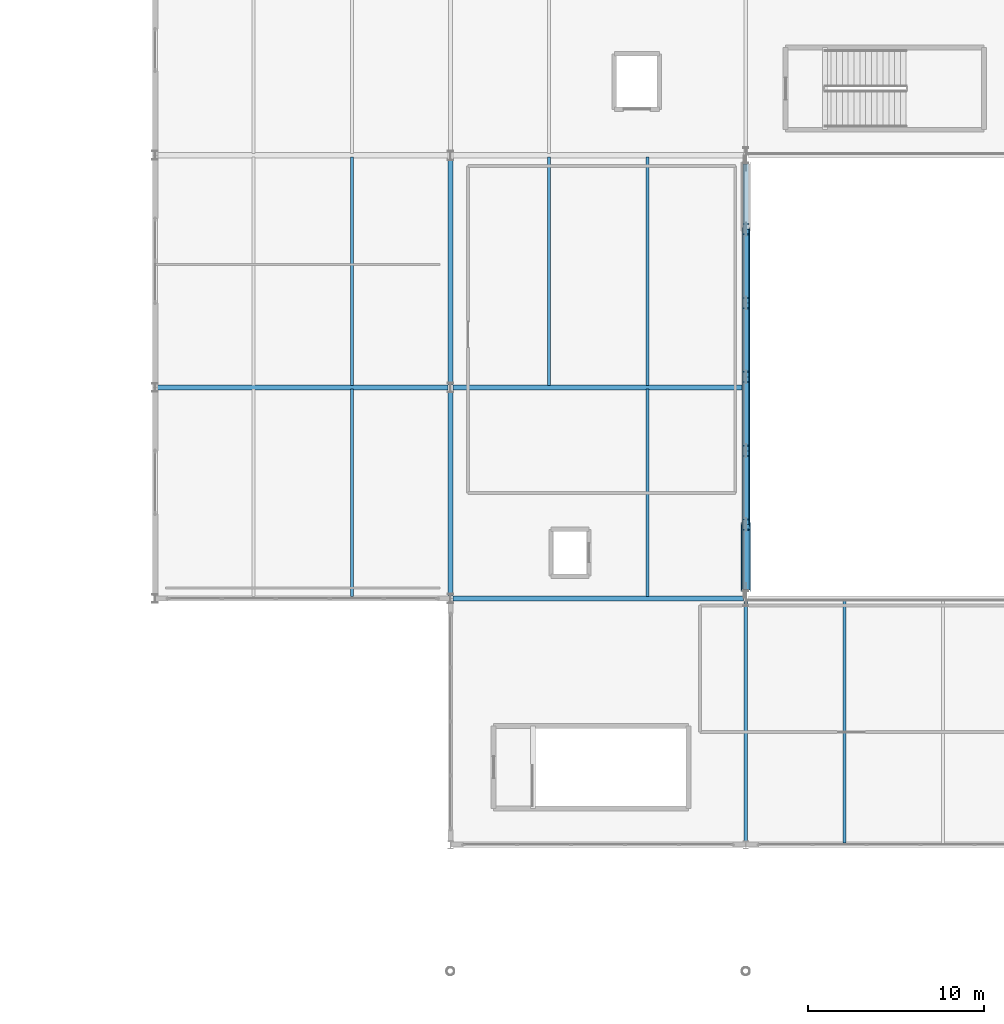
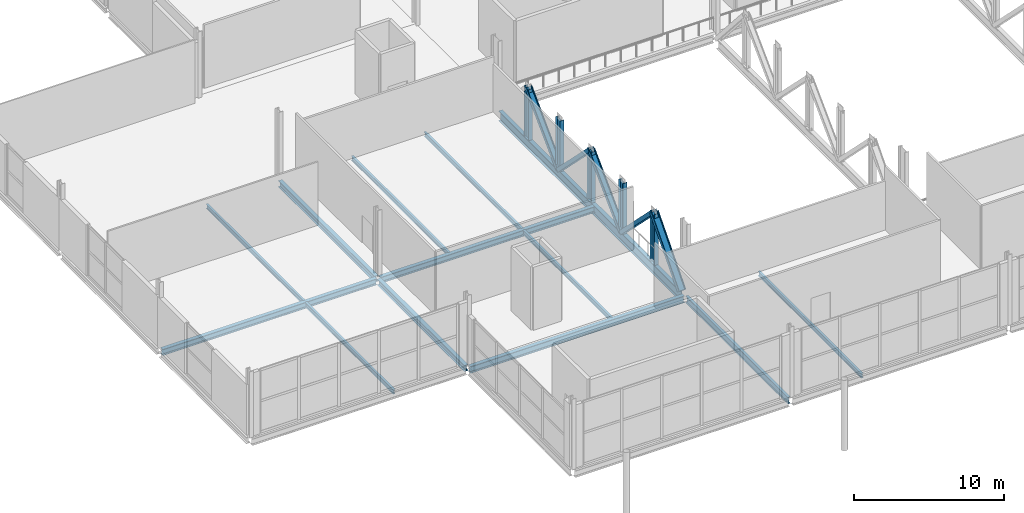
# One storey, part 20 of 84: 13 beams, 10 members.
"""IFC4 building model written with IfcOpenShell, lengths in metres."""

from ifc_helpers import new_model, si_unit, direction, frame, origin, origin_2d, place, context, subcontext, project, spatial, i_section, extrude, material, material_profile, profile_set, type_object, element, save


model = new_model("IFC4")

# Units and contexts
model_context = context("Model", 3, precision=1e-05, world=origin(), true_north=direction((0.0, 1.0)))
body_context = subcontext(model_context, "Body", "Model", "MODEL_VIEW")
ifc_project = project(units=[si_unit("LENGTHUNIT", "METRE"), si_unit("AREAUNIT", "SQUARE_METRE"), si_unit("VOLUMEUNIT", "CUBIC_METRE"), si_unit("PLANEANGLEUNIT", "RADIAN"), si_unit("MASSUNIT", "GRAM", prefix="KILO")], contexts=[model_context])

# Site, building, storey
site_placement = place(None, origin())
site = spatial("IfcSite", under=ifc_project, at=site_placement, CompositionType="ELEMENT")
building_placement = place(site_placement, origin())
building = spatial("IfcBuilding", under=site, at=building_placement, Name="Kimbaza Rail Terminus", CompositionType="ELEMENT")
storey_placement = place(building_placement, frame((0.0, 0.0, 5.39990234375)))
storey = spatial("IfcBuildingStorey", under=building, at=storey_placement, Name="L01", CompositionType="ELEMENT", Elevation=5.39990234375)

# Beams
ifc_material_1 = material(Name="Steel S355", Category="steel")
ifc_material_profile_1 = material_profile(ifc_material_1, i_section(OverallWidth=0.300048828125, OverallDepth=0.5, WebThickness=0.014404296875, FlangeThickness=0.028076171875, FilletRadius=0.027099609375, at=origin_2d()), Name="HEB 500")
ifc_profile_set_1 = profile_set([ifc_material_profile_1], Name="Steel S355")
beam_type_1 = type_object("IfcBeamType", Name="STR-BM-HEB500", PredefinedType="BEAM", material=ifc_profile_set_1)
for number, where, z_axis, x_axis, name in (
    (1, (38.5458984375, 67.0, -0.469970703125), (1.0, 0.0, 0.0), (0.0, 1.0, 0.0), "Beam BM-V2WX-L01-38"),
    (2, (55.345947265625, 67.0, -0.469970703125), (1.0, 0.0, 0.0), (0.0, 1.0, 0.0), "Beam BM-V2WX-L01-55"),
):
    element("IfcBeam", number, at=place(storey_placement, frame(where, z_axis=z_axis, x_axis=x_axis)), inside=storey, type_object=beam_type_1, Name=name, PredefinedType="BEAM", context=body_context, shape_type="SweptSolid", body=[
        extrude(i_section(OverallWidth=0.300048828125, OverallDepth=0.5, WebThickness=0.014404296875, FlangeThickness=0.028076171875, FilletRadius=0.027099609375, at=origin_2d()), origin(), (0.0, 0.0, 1.0), 16.508056640625),
    ])
beam_1_placement = place(storey_placement, frame((55.199951171875, 55.175048828125, -0.469970703125), z_axis=(0.0, 1.0, 0.0), x_axis=(-1.0, 0.0, 0.0)))
element("IfcBeam", 3, at=beam_1_placement, inside=storey, type_object=beam_type_1, Name="Beam BM-V2WY-L01-1-55", PredefinedType="BEAM", context=body_context, shape_type="SweptSolid", body=[
    extrude(i_section(OverallWidth=0.300048828125, OverallDepth=0.5, WebThickness=0.014404296875, FlangeThickness=0.028076171875, FilletRadius=0.027099609375, at=origin_2d()), origin(), (0.0, 0.0, 1.0), 11.64990234375),
])
beam_2_placement = place(storey_placement, frame((55.199951171875, 67.175048828125, -0.469970703125), z_axis=(0.0, 1.0, 0.0), x_axis=(-1.0, 0.0, 0.0)))
element("IfcBeam", 4, at=beam_2_placement, inside=storey, type_object=beam_type_1, Name="Beam BM-V2WY-L01-1-67", PredefinedType="BEAM", context=body_context, shape_type="SweptSolid", body=[
    extrude(i_section(OverallWidth=0.300048828125, OverallDepth=0.5, WebThickness=0.014404296875, FlangeThickness=0.028076171875, FilletRadius=0.027099609375, at=origin_2d()), origin(), (0.0, 0.0, 1.0), 12.849853515625),
])
ifc_material_2 = material(Name="Steel S355", Category="steel")
ifc_material_profile_2 = material_profile(ifc_material_2, i_section(OverallWidth=0.300048828125, OverallDepth=0.550048828125, WebThickness=0.014892578125, FlangeThickness=0.029052734375, FilletRadius=0.027099609375, at=origin_2d()), Name="HEB 550")
ifc_profile_set_2 = profile_set([ifc_material_profile_2], Name="Steel S355")
beam_type_2 = type_object("IfcBeamType", Name="STR-BM-HEB550", PredefinedType="BEAM", material=ifc_profile_set_2)
beam_3_placement = place(storey_placement, frame((55.345947265625, 55.0, -0.494873046875), z_axis=(1.0, 0.0, 0.0), x_axis=(0.0, 1.0, 0.0)))
element("IfcBeam", 5, at=beam_3_placement, inside=storey, type_object=beam_type_2, Name="Beam BM-V2X-L01-55-1", PredefinedType="BEAM", context=body_context, shape_type="SweptSolid", body=[
    extrude(i_section(OverallWidth=0.300048828125, OverallDepth=0.550048828125, WebThickness=0.014892578125, FlangeThickness=0.029052734375, FilletRadius=0.027099609375, at=origin_2d()), origin(), (0.0, 0.0, 1.0), 16.508056640625),
])
ifc_material_3 = material(Name="Steel S355", Category="steel")
ifc_material_profile_3 = material_profile(ifc_material_3, i_section(OverallWidth=0.302978515625, OverallDepth=0.81396484375, WebThickness=0.02099609375, FlangeThickness=0.0400390625, FilletRadius=0.030029296875, at=origin_2d()), Name="HEM 800")
ifc_profile_set_3 = profile_set([ifc_material_profile_3], Name="Steel S355")
beam_type_3 = type_object("IfcBeamType", Name="STR-BM-HEM800", PredefinedType="USERDEFINED", material=ifc_profile_set_3)
beam_4_placement = place(storey_placement, frame((72.0, 55.498046875, -0.626953125), z_axis=(0.0, 1.0, 0.0), x_axis=(-1.0, 0.0, 0.0)))
element("IfcBeam", 6, at=beam_4_placement, inside=storey, type_object=beam_type_3, Name="Warren Transfer Truss WT-01 Bottom Chord", ObjectType="GIRDER", PredefinedType="USERDEFINED", context=body_context, shape_type="SweptSolid", body=[
    extrude(i_section(OverallWidth=0.302978515625, OverallDepth=0.81396484375, WebThickness=0.02099609375, FlangeThickness=0.0400390625, FilletRadius=0.030029296875, at=origin_2d()), origin(), (0.0, 0.0, 1.0), 24.203857421875),
])
ifc_material_4 = material(Name="Steel S355", Category="steel")
ifc_material_profile_4 = material_profile(ifc_material_4, i_section(OverallWidth=0.169921875, OverallDepth=0.360107421875, WebThickness=0.008056640625, FlangeThickness=0.0126953125, FilletRadius=0.01806640625, at=origin_2d()), Name="IPE 360")
ifc_profile_set_4 = profile_set([ifc_material_profile_4], Name="Steel S355")
beam_type_4 = type_object("IfcBeamType", Name="STR-BM-IPE360", PredefinedType="JOIST", material=ifc_profile_set_4)
beam_5_placement = place(storey_placement, frame((77.60009765625, 41.10009765625, -0.39990234375), z_axis=(0.0, 1.0, 0.0), x_axis=(-1.0, 0.0, 0.0)))
element("IfcBeam", 7, at=beam_5_placement, inside=storey, type_object=beam_type_4, Name="Beam JST-V2-L01-1-1-41", PredefinedType="JOIST", context=body_context, shape_type="SweptSolid", body=[
    extrude(i_section(OverallWidth=0.169921875, OverallDepth=0.360107421875, WebThickness=0.008056640625, FlangeThickness=0.0126953125, FilletRadius=0.01806640625, at=origin_2d()), origin(), (0.0, 0.0, 1.0), 13.7998046875),
])
beam_6_placement = place(storey_placement, frame((49.60009765625, 55.10009765625, -0.39990234375), z_axis=(0.0, 1.0, 0.0), x_axis=(-1.0, 0.0, 0.0)))
element("IfcBeam", 8, at=beam_6_placement, inside=storey, type_object=beam_type_4, Name="Beam JST-V2W-L01-0-2-55", PredefinedType="JOIST", context=body_context, shape_type="SweptSolid", body=[
    extrude(i_section(OverallWidth=0.169921875, OverallDepth=0.360107421875, WebThickness=0.008056640625, FlangeThickness=0.0126953125, FilletRadius=0.01806640625, at=origin_2d()), origin(), (0.0, 0.0, 1.0), 11.7998046875),
])
for number, where, z_axis, x_axis, name in (
    (9, (49.60009765625, 67.10009765625, -0.39990234375), (0.0, 1.0, 0.0), (-1.0, 0.0, 0.0), "Beam JST-V2W-L01-0-2-67"),
    (10, (60.800048828125, 67.10009765625, -0.39990234375), (0.0, 1.0, 0.0), (-1.0, 0.0, 0.0), "Beam JST-V2W-L01-1-1-67"),
):
    element("IfcBeam", number, at=place(storey_placement, frame(where, z_axis=z_axis, x_axis=x_axis)), inside=storey, type_object=beam_type_4, Name=name, PredefinedType="JOIST", context=body_context, shape_type="SweptSolid", body=[
        extrude(i_section(OverallWidth=0.169921875, OverallDepth=0.360107421875, WebThickness=0.008056640625, FlangeThickness=0.0126953125, FilletRadius=0.01806640625, at=origin_2d()), origin(), (0.0, 0.0, 1.0), 13.0),
    ])
beam_7_placement = place(storey_placement, frame((66.39990234375, 55.10009765625, -0.39990234375), z_axis=(0.0, 1.0, 0.0), x_axis=(-1.0, 0.0, 0.0)))
element("IfcBeam", 11, at=beam_7_placement, inside=storey, type_object=beam_type_4, Name="Beam JST-V2W-L01-1-2-55", PredefinedType="JOIST", context=body_context, shape_type="SweptSolid", body=[
    extrude(i_section(OverallWidth=0.169921875, OverallDepth=0.360107421875, WebThickness=0.008056640625, FlangeThickness=0.0126953125, FilletRadius=0.01806640625, at=origin_2d()), origin(), (0.0, 0.0, 1.0), 11.7998046875),
])
beam_8_placement = place(storey_placement, frame((66.39990234375, 67.10009765625, -0.39990234375), z_axis=(0.0, 1.0, 0.0), x_axis=(-1.0, 0.0, 0.0)))
element("IfcBeam", 12, at=beam_8_placement, inside=storey, type_object=beam_type_4, Name="Beam JST-V2W-L01-1-2-67", PredefinedType="JOIST", context=body_context, shape_type="SweptSolid", body=[
    extrude(i_section(OverallWidth=0.169921875, OverallDepth=0.360107421875, WebThickness=0.008056640625, FlangeThickness=0.0126953125, FilletRadius=0.01806640625, at=origin_2d()), origin(), (0.0, 0.0, 1.0), 13.0),
])
ifc_material_5 = material(Name="Steel S355", Category="steel")
ifc_material_profile_5 = material_profile(ifc_material_5, i_section(OverallWidth=0.2099609375, OverallDepth=0.550048828125, WebThickness=0.010986328125, FlangeThickness=0.01708984375, FilletRadius=0.02392578125, at=origin_2d()), Name="IPE 550")
ifc_profile_set_5 = profile_set([ifc_material_profile_5], Name="Steel S355")
beam_type_5 = type_object("IfcBeamType", Name="STR-BM-IPE550", PredefinedType="BEAM", material=ifc_profile_set_5)
beam_9_placement = place(storey_placement, frame((72.0, 41.175048828125, -0.494873046875), z_axis=(0.0, 1.0, 0.0), x_axis=(-1.0, 0.0, 0.0)))
element("IfcBeam", 13, at=beam_9_placement, inside=storey, type_object=beam_type_5, Name="Beam BM-V2Y-L01-1-41", PredefinedType="BEAM", context=body_context, shape_type="SweptSolid", body=[
    extrude(i_section(OverallWidth=0.2099609375, OverallDepth=0.550048828125, WebThickness=0.010986328125, FlangeThickness=0.01708984375, FilletRadius=0.02392578125, at=origin_2d()), origin(), (0.0, 0.0, 1.0), 13.64990234375),
])

# Members
ifc_material_6 = material(Name="Steel S355", Category="steel")
ifc_material_profile_6 = material_profile(ifc_material_6, i_section(OverallWidth=0.300048828125, OverallDepth=0.449951171875, WebThickness=0.013916015625, FlangeThickness=0.02587890625, FilletRadius=0.027099609375, at=origin_2d()), Name="HEB 450")
ifc_profile_set_6 = profile_set([ifc_material_profile_6], Name="Steel S355")
member_type_1 = type_object("IfcMemberType", Name="STR-MB-HEB450", PredefinedType="BRACE", material=ifc_profile_set_6)
member_1_placement = place(storey_placement, frame((72.0, 59.199951171875, 3.955078125), z_axis=(0.0, 0.706942385545, -0.707271138616), x_axis=(0.0, 0.707271138616, 0.706942385545)))
element("IfcMember", 14, at=member_1_placement, inside=storey, type_object=member_type_1, Name="Warren Transfer Truss Diagonal WT-01-2", PredefinedType="BRACE", context=body_context, shape_type="SweptSolid", body=[
    extrude(i_section(OverallWidth=0.300048828125, OverallDepth=0.449951171875, WebThickness=0.013916015625, FlangeThickness=0.02587890625, FilletRadius=0.027099609375, at=origin_2d()), origin(), (0.0, 0.0, 1.0), 5.94091796875),
])
member_2_placement = place(storey_placement, frame((72.0, 63.39990234375, -0.246826171875), z_axis=(0.0, 0.706962941269, 0.70725059185), x_axis=(0.0, -0.70725059185, 0.706962941269)))
element("IfcMember", 15, at=member_2_placement, inside=storey, type_object=member_type_1, Name="Warren Transfer Truss Diagonal WT-01-3", PredefinedType="BRACE", context=body_context, shape_type="SweptSolid", body=[
    extrude(i_section(OverallWidth=0.300048828125, OverallDepth=0.449951171875, WebThickness=0.013916015625, FlangeThickness=0.02587890625, FilletRadius=0.027099609375, at=origin_2d()), origin(), (0.0, 0.0, 1.0), 5.941162109375),
])
for number, where, z_axis, x_axis, name in (
    (16, (72.0, 67.60009765625, 3.955078125), (0.0, 0.706942385545, -0.707271138616), (0.0, 0.707271138616, 0.706942385545), "Warren Transfer Truss Diagonal WT-01-4"),
    (17, (72.0, 71.800048828125, -0.246826171875), (0.0, 0.706942385545, 0.707271138616), (0.0, -0.707271138616, 0.706942385545), "Warren Transfer Truss Diagonal WT-01-5"),
):
    element("IfcMember", number, at=place(storey_placement, frame(where, z_axis=z_axis, x_axis=x_axis)), inside=storey, type_object=member_type_1, Name=name, PredefinedType="BRACE", context=body_context, shape_type="SweptSolid", body=[
        extrude(i_section(OverallWidth=0.300048828125, OverallDepth=0.449951171875, WebThickness=0.013916015625, FlangeThickness=0.02587890625, FilletRadius=0.027099609375, at=origin_2d()), origin(), (0.0, 0.0, 1.0), 5.94091796875),
    ])
ifc_material_7 = material(Name="Steel S355", Category="steel")
ifc_material_profile_7 = material_profile(ifc_material_7, i_section(OverallWidth=0.300048828125, OverallDepth=0.550048828125, WebThickness=0.014892578125, FlangeThickness=0.029052734375, FilletRadius=0.027099609375, at=origin_2d()), Name="HEB 550")
ifc_profile_set_7 = profile_set([ifc_material_profile_7], Name="Steel S355")
member_type_2 = type_object("IfcMemberType", Name="STR-MB-HEB550", PredefinedType="BRACE", material=ifc_profile_set_7)
member_3_placement = place(storey_placement, frame((72.0, 55.5, -0.246826171875), z_axis=(0.0, 0.660856906539, 0.750511924675), x_axis=(0.0, -0.750511924675, 0.660856906539)))
element("IfcMember", 18, at=member_3_placement, inside=storey, type_object=member_type_2, Name="Warren Transfer Truss Diagonal WT-01-1", PredefinedType="BRACE", context=body_context, shape_type="SweptSolid", body=[
    extrude(i_section(OverallWidth=0.300048828125, OverallDepth=0.550048828125, WebThickness=0.014892578125, FlangeThickness=0.029052734375, FilletRadius=0.027099609375, at=origin_2d()), origin(), (0.0, 0.0, 1.0), 5.5986328125),
])
ifc_material_8 = material(Name="Steel S355", Category="steel")
ifc_material_profile_8 = material_profile(ifc_material_8, i_section(OverallWidth=0.304931640625, OverallDepth=0.6201171875, WebThickness=0.02099609375, FlangeThickness=0.0400390625, FilletRadius=0.027099609375, at=origin_2d()), Name="HEM 600")
ifc_profile_set_8 = profile_set([ifc_material_profile_8], Name="Steel S355")
member_type_3 = type_object("IfcMemberType", Name="STR-MB-HEM600", PredefinedType="POST", material=ifc_profile_set_8)
for number, where, z_axis, x_axis, name in (
    (19, (72.0, 59.199951171875, -0.226806640625), (0.0, 0.0, 1.0), (1.0, 0.0, 0.0), "Warren Truss WT-01 Vertical Post 1"),
    (20, (72.0, 63.39990234375, -0.226806640625), (0.0, 0.0, 1.0), (1.0, 0.0, 0.0), "Warren Truss WT-01 Vertical Post 2"),
    (21, (72.0, 67.60009765625, -0.226806640625), (0.0, 0.0, 1.0), (1.0, 0.0, 0.0), "Warren Truss WT-01 Vertical Post 3"),
    (22, (72.0, 71.800048828125, -0.226806640625), (0.0, 0.0, 1.0), (1.0, 0.0, 0.0), "Warren Truss WT-01 Vertical Post 4"),
    (23, (72.0, 76.0, -0.226806640625), (0.0, 0.0, 1.0), (1.0, 0.0, 0.0), "Warren Truss WT-01 Vertical Post 5"),
):
    element("IfcMember", number, at=place(storey_placement, frame(where, z_axis=z_axis, x_axis=x_axis)), inside=storey, type_object=member_type_3, Name=name, PredefinedType="POST", context=body_context, shape_type="SweptSolid", body=[
        extrude(i_section(OverallWidth=0.304931640625, OverallDepth=0.6201171875, WebThickness=0.02099609375, FlangeThickness=0.0400390625, FilletRadius=0.027099609375, at=origin_2d()), origin(), (0.0, 0.0, 1.0), 4.15185546875),
    ])

save(model, "model.ifc")
